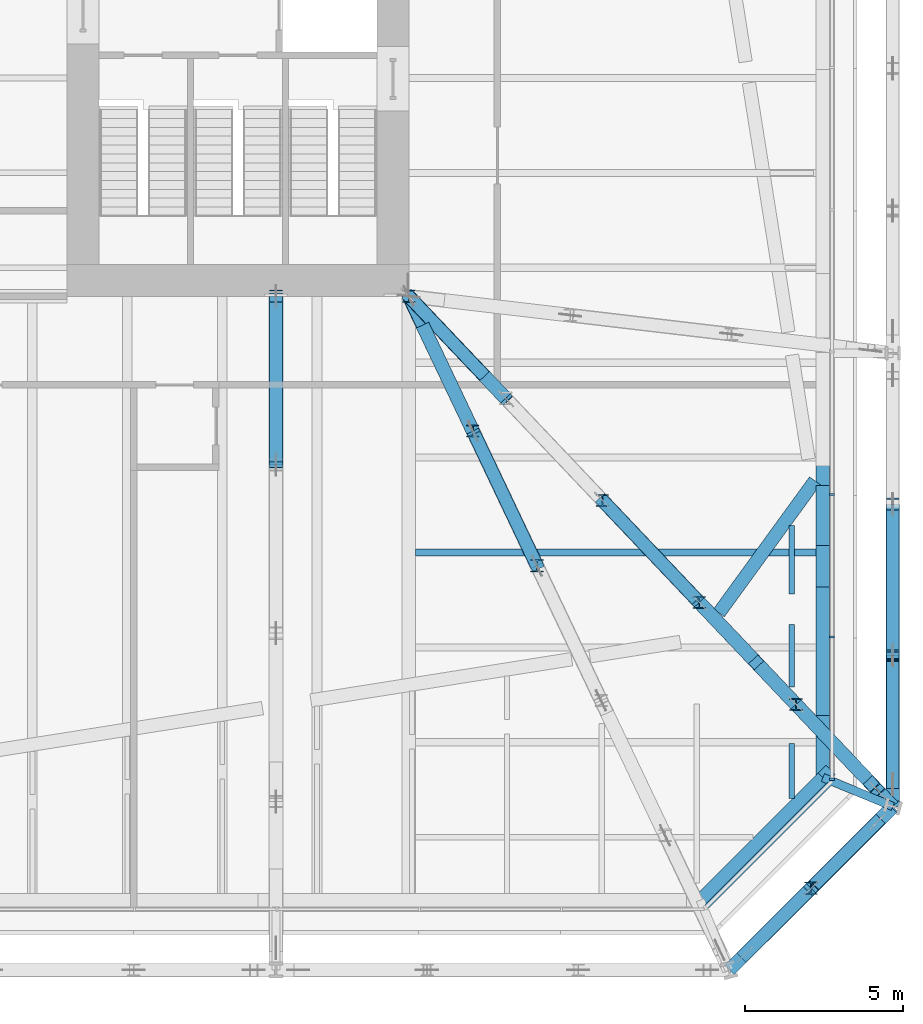
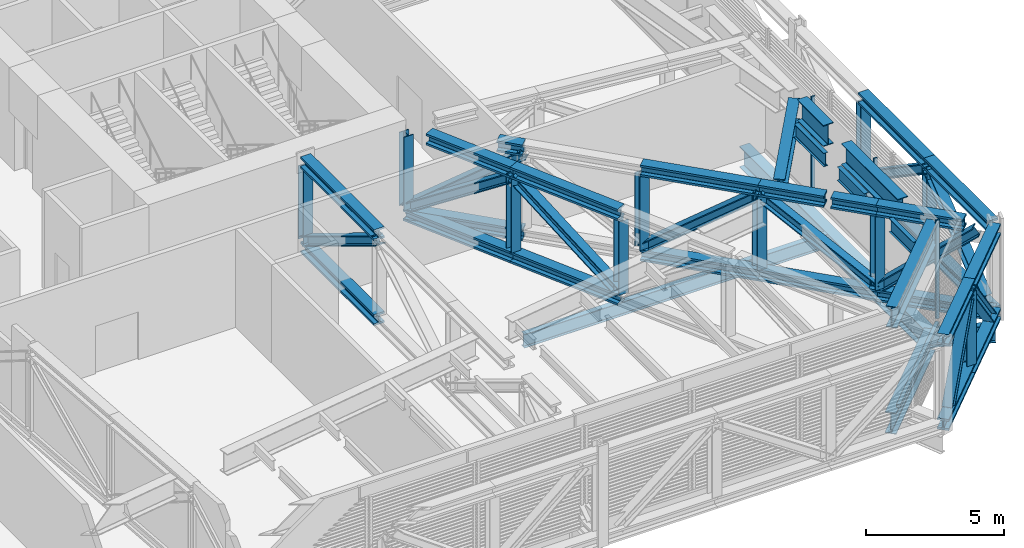
# One storey, part 10 of 31: 34 beams, 25 members, 2 elements without a shape of their own.
"""IFC4 building model written with IfcOpenShell, lengths in metres."""

from ifc_helpers import new_model, si_unit, direction, frame, origin, origin_2d, place, context, subcontext, project, spatial, rectangle, i_section, extrude, material, layer, layer_set, material_profile, profile_set, type_object, element, aggregate, save


model = new_model("IFC4")

# Units and contexts
model_context = context("Model", 3, precision=1e-05, world=origin(), true_north=direction((0.0, 1.0)))
body_context = subcontext(model_context, "Body", "Model", "MODEL_VIEW")
ifc_project = project(units=[si_unit("LENGTHUNIT", "METRE"), si_unit("AREAUNIT", "SQUARE_METRE"), si_unit("VOLUMEUNIT", "CUBIC_METRE"), si_unit("PLANEANGLEUNIT", "RADIAN"), si_unit("MASSUNIT", "GRAM", prefix="KILO")], contexts=[model_context])

# Site, building, storey
site_placement = place(None, origin())
site = spatial("IfcSite", under=ifc_project, at=site_placement, CompositionType="ELEMENT")
building_placement = place(site_placement, origin())
building = spatial("IfcBuilding", under=site, at=building_placement, Name="Millrace Tower", CompositionType="ELEMENT")
storey_placement = place(building_placement, frame((0.0, 0.0, 120.39990234375)))
storey = spatial("IfcBuildingStorey", under=building, at=storey_placement, Name="L26", CompositionType="ELEMENT", Elevation=120.39990234375)

# Beams
ifc_material_1 = material(Name="Steel ASTM A992 Grade 50", Category="steel")
ifc_material_profile_1 = material_profile(ifc_material_1, i_section(OverallWidth=0.431884765625, OverallDepth=0.497802734375, WebThickness=0.0556640625, FlangeThickness=0.0888671875, FilletRadius=0.01513671875, at=origin_2d()))
ifc_profile_set_1 = profile_set([ifc_material_profile_1], Name="Steel ASTM A992 Grade 50")
beam_type_1 = type_object("IfcBeamType", Name="Belt truss chord W14x500", PredefinedType="BEAM", material=ifc_profile_set_1)
for number, where, z_axis, x_axis, name in (
    (1, (25.0283203125, -31.199951171875, 0.2490234375), (0.70714016126, 0.707073399538, 0.0), (-0.707073399538, 0.70714016126, 0.0), "BLT-L26-R05-B01"),
    (2, (25.0283203125, -31.199951171875, 3.9912109375), (0.70714016126, 0.707073399538, 0.0), (-0.707073399538, 0.70714016126, 0.0), "BLT-L26-R05-T01"),
    (3, (27.6142578125, -28.6142578125, 0.2490234375), (0.707073399538, 0.70714016126, 0.0), (-0.70714016126, 0.707073399538, 0.0), "BLT-L26-R05-B02"),
):
    element("IfcBeam", number, at=place(storey_placement, frame(where, z_axis=z_axis, x_axis=x_axis)), inside=storey, type_object=beam_type_1, Name=name, PredefinedType="BEAM", context=body_context, shape_type="SweptSolid", body=[
        extrude(i_section(OverallWidth=0.431884765625, OverallDepth=0.497802734375, WebThickness=0.0556640625, FlangeThickness=0.0888671875, FilletRadius=0.01513671875, at=origin_2d()), origin(), (0.0, 0.0, 1.0), 3.656982421875),
    ])
for number, where, z_axis, x_axis, name in (
    (4, (30.199951171875, -26.0283203125, 0.2490234375), (0.0, 1.0, 0.0), (-1.0, 0.0, 0.0), "BLT-L26-R06-B01"),
    (5, (30.199951171875, -21.252197265625, 0.2490234375), (0.0, 1.0, 0.0), (-1.0, 0.0, 0.0), "BLT-L26-R06-B02"),
    (6, (30.199951171875, -21.252197265625, 3.9912109375), (0.0, 1.0, 0.0), (-1.0, 0.0, 0.0), "BLT-L26-R06-T02"),
):
    element("IfcBeam", number, at=place(storey_placement, frame(where, z_axis=z_axis, x_axis=x_axis)), inside=storey, type_object=beam_type_1, Name=name, PredefinedType="BEAM", context=body_context, shape_type="SweptSolid", body=[
        extrude(i_section(OverallWidth=0.431884765625, OverallDepth=0.497802734375, WebThickness=0.0556640625, FlangeThickness=0.0888671875, FilletRadius=0.01513671875, at=origin_2d()), origin(), (0.0, 0.0, 1.0), 4.776123046875),
    ])
beam_1_placement = place(storey_placement, frame((27.6142578125, -28.6142578125, 3.9912109375), z_axis=(0.707106781187, 0.707106781187, 0.0), x_axis=(-0.707106781187, 0.707106781187, 0.0)))
element("IfcBeam", 7, at=beam_1_placement, inside=storey, type_object=beam_type_1, Name="BLT-L26-R05-T02", PredefinedType="BEAM", context=body_context, shape_type="SweptSolid", body=[
    extrude(i_section(OverallWidth=0.431884765625, OverallDepth=0.497802734375, WebThickness=0.0556640625, FlangeThickness=0.0888671875, FilletRadius=0.01513671875, at=origin_2d()), origin(), (0.0, 0.0, 1.0), 3.611572265625),
])
beam_2_placement = place(storey_placement, frame((30.199951171875, -25.85986328125, 3.9912109375), z_axis=(0.0, 1.0, 0.0), x_axis=(-1.0, 0.0, 0.0)))
element("IfcBeam", 8, at=beam_2_placement, inside=storey, type_object=beam_type_1, Name="BLT-L26-R06-T01", PredefinedType="BEAM", context=body_context, shape_type="SweptSolid", body=[
    extrude(i_section(OverallWidth=0.431884765625, OverallDepth=0.497802734375, WebThickness=0.0556640625, FlangeThickness=0.0888671875, FilletRadius=0.01513671875, at=origin_2d()), origin(), (0.0, 0.0, 1.0), 4.607666015625),
])

# Members
ifc_material_2 = material(Name="Steel ASTM A992 Grade 50", Category="steel")
ifc_material_profile_2 = material_profile(ifc_material_2, i_section(OverallWidth=0.4013671875, OverallDepth=0.398681640625, WebThickness=0.02490234375, FlangeThickness=0.03955078125, FilletRadius=0.01513671875, at=origin_2d()))
ifc_profile_set_2 = profile_set([ifc_material_profile_2], Name="Steel ASTM A992 Grade 50")
member_type_1 = type_object("IfcMemberType", Name="Belt truss diagonal W14x211", PredefinedType="BRACE", material=ifc_profile_set_2)
for number, where, z_axis, x_axis, name in (
    (9, (25.5234375, -30.705078125, 0.498046875), (0.476325620306, 0.476325620306, 0.739072260933), (-0.707106781187, 0.707106781187, 0.0), "BLT-L26-R05-D01"),
    (10, (29.705078125, -26.5234375, 0.498046875), (-0.476325620306, -0.476325620306, 0.739072260933), (0.707106781187, -0.707106781187, 0.0), "BLT-L26-R05-D02"),
):
    element("IfcMember", number, at=place(storey_placement, frame(where, z_axis=z_axis, x_axis=x_axis)), inside=storey, type_object=member_type_1, Name=name, PredefinedType="BRACE", context=body_context, shape_type="SweptSolid", body=[
        extrude(i_section(OverallWidth=0.4013671875, OverallDepth=0.398681640625, WebThickness=0.02490234375, FlangeThickness=0.03955078125, FilletRadius=0.01513671875, at=origin_2d()), origin(), (0.0, 0.0, 1.0), 4.389404296875),
    ])
member_1_placement = place(storey_placement, frame((30.199951171875, -25.328369140625, 0.498046875), z_axis=(0.0, 0.782439131655, 0.62272707124), x_axis=(-1.0, 0.0, 0.0)))
element("IfcMember", 11, at=member_1_placement, inside=storey, type_object=member_type_1, Name="BLT-L26-R06-D01", PredefinedType="BRACE", context=body_context, shape_type="SweptSolid", body=[
    extrude(i_section(OverallWidth=0.4013671875, OverallDepth=0.398681640625, WebThickness=0.02490234375, FlangeThickness=0.03955078125, FilletRadius=0.01513671875, at=origin_2d()), origin(), (0.0, 0.0, 1.0), 5.20947265625),
])
member_2_placement = place(storey_placement, frame((30.199951171875, -16.47607421875, 0.498046875), z_axis=(0.0, -0.827218174589, 0.561880851809), x_axis=(1.0, 0.0, 0.0)))
element("IfcMember", 12, at=member_2_placement, inside=storey, type_object=member_type_1, Name="BLT-L26-R06-D02", PredefinedType="BRACE", context=body_context, shape_type="SweptSolid", body=[
    extrude(i_section(OverallWidth=0.4013671875, OverallDepth=0.398681640625, WebThickness=0.02490234375, FlangeThickness=0.03955078125, FilletRadius=0.01513671875, at=origin_2d()), origin(), (0.0, 0.0, 1.0), 5.773681640625),
])
ifc_material_3 = material(Name="Steel ASTM A992 Grade 50", Category="steel")
ifc_material_profile_3 = material_profile(ifc_material_3, i_section(OverallWidth=0.398681640625, OverallDepth=0.385986328125, WebThickness=0.02099609375, FlangeThickness=0.033203125, FilletRadius=0.01513671875, at=origin_2d()))
ifc_profile_set_3 = profile_set([ifc_material_profile_3], Name="Steel ASTM A992 Grade 50")
member_type_2 = type_object("IfcMemberType", Name="Belt truss post W14x176", PredefinedType="POST", material=ifc_profile_set_3)
for number, where, z_axis, x_axis, name in (
    (13, (27.6142578125, -28.6142578125, 0.498046875), (0.0, 0.0, 1.0), (1.0, 0.0, 0.0), "BLT-L26-R05-V01"),
    (14, (30.199951171875, -21.252197265625, 0.498046875), (0.0, 0.0, 1.0), (1.0, 0.0, 0.0), "BLT-L26-R06-V01"),
    (15, (30.199951171875, -16.47607421875, 0.498046875), (0.0, 0.0, 1.0), (1.0, 0.0, 0.0), "BLT-L26-R06-V02"),
):
    element("IfcMember", number, at=place(storey_placement, frame(where, z_axis=z_axis, x_axis=x_axis)), inside=storey, type_object=member_type_2, Name=name, PredefinedType="POST", context=body_context, shape_type="SweptSolid", body=[
        extrude(i_section(OverallWidth=0.398681640625, OverallDepth=0.385986328125, WebThickness=0.02099609375, FlangeThickness=0.033203125, FilletRadius=0.01513671875, at=origin_2d()), origin(), (0.0, 0.0, 1.0), 3.244140625),
    ])

# Curtain wall, members
ifc_material_4 = material(Name="Aluminium and glass", Category="aluminium")
ifc_layer = layer(ifc_material_4, 0.14990234375)
ifc_layer_set = layer_set([ifc_layer], Name="Aluminium and glass")
curtain_wall_type = type_object("IfcCurtainWallType", Name="CW-5 truss and plant storey louvred infill", PredefinedType="NOTDEFINED", material=ifc_layer_set)
placement = place(storey_placement, origin())
curtain_wall_1 = element("IfcCurtainWall", 16, at=placement, inside=storey, type_object=curtain_wall_type, Name="Curtain wall B-F04 L26", PredefinedType="NOTDEFINED")
ifc_material_5 = material(Name="Aluminium", Category="aluminium")
ifc_material_profile_4 = material_profile(ifc_material_5, rectangle(XDim=0.06494140625, YDim=0.14990234375, at=origin_2d()))
ifc_profile_set_4 = profile_set([ifc_material_profile_4], Name="Aluminium")
member_type_3 = type_object("IfcMemberType", Name="CW-5 truss and plant storey louvred infill mullion", PredefinedType="MULLION", material=ifc_profile_set_4)
member_3_placement = place(storey_placement, frame((28.27490234375, -25.16748046875, 0.14013671875), z_axis=(0.0, 0.0, 1.0), x_axis=(0.0, 1.0, 0.0)))
member_3 = element("IfcMember", 17, at=member_3_placement, type_object=member_type_3, Name="CW5 mullion B-F04.1", PredefinedType="MULLION", context=body_context, shape_type="SweptSolid", body=[
    extrude(rectangle(XDim=0.06494140625, YDim=0.14990234375, at=origin_2d()), origin(), (0.0, 0.0, 1.0), 4.35986328125),
])
member_4_placement = place(storey_placement, frame((28.27490234375, -20.66748046875, 0.14013671875), z_axis=(0.0, 0.0, 1.0), x_axis=(0.0, 1.0, 0.0)))
member_4 = element("IfcMember", 18, at=member_4_placement, type_object=member_type_3, Name="CW5 mullion B-F04.2", PredefinedType="MULLION", context=body_context, shape_type="SweptSolid", body=[
    extrude(rectangle(XDim=0.06494140625, YDim=0.14990234375, at=origin_2d()), origin(), (0.0, 0.0, 1.0), 4.35986328125),
])
member_5_placement = place(storey_placement, frame((28.27490234375, -16.16748046875, 0.14013671875), z_axis=(0.0, 0.0, 1.0), x_axis=(0.0, 1.0, 0.0)))
member_5 = element("IfcMember", 19, at=member_5_placement, type_object=member_type_3, Name="CW5 mullion B-F04.3", PredefinedType="MULLION", context=body_context, shape_type="SweptSolid", body=[
    extrude(rectangle(XDim=0.06494140625, YDim=0.14990234375, at=origin_2d()), origin(), (0.0, 0.0, 1.0), 4.35986328125),
])
aggregate(curtain_wall_1, [member_3, member_4, member_5])

# Curtain wall, member
curtain_wall_2 = element("IfcCurtainWall", 20, at=placement, inside=storey, type_object=curtain_wall_type, Name="Curtain wall B-F03 L26", PredefinedType="NOTDEFINED")
ifc_material_6 = material(Name="Aluminium", Category="aluminium")
ifc_material_profile_5 = material_profile(ifc_material_6, rectangle(XDim=0.14990234375, YDim=0.139892578125, at=origin_2d()))
ifc_profile_set_5 = profile_set([ifc_material_profile_5], Name="Aluminium")
member_type_4 = type_object("IfcMemberType", Name="CW-5 truss and plant storey louvred infill transom", PredefinedType="USERDEFINED", material=ifc_profile_set_5)
member_6_placement = place(storey_placement, frame((24.32373046875, -29.182373046875, 0.070068359375), z_axis=(0.707106781187, 0.707106781187, 0.0), x_axis=(-0.707106781187, 0.707106781187, 0.0)))
member_6 = element("IfcMember", 21, at=member_6_placement, type_object=member_type_4, Name="CW5 transom B-F03.1", ObjectType="TRANSOM", PredefinedType="USERDEFINED", context=body_context, shape_type="SweptSolid", body=[
    extrude(rectangle(XDim=0.14990234375, YDim=0.139892578125, at=origin_2d()), origin(), (0.0, 0.0, 1.0), 5.45703125),
])
aggregate(curtain_wall_2, [member_6])

# Beams
ifc_material_7 = material(Name="Steel ASTM A992 Grade 50", Category="steel")
ifc_material_profile_6 = material_profile(ifc_material_7, i_section(OverallWidth=0.177978515625, OverallDepth=0.599365234375, WebThickness=0.010009765625, FlangeThickness=0.012939453125, FilletRadius=0.012939453125, at=origin_2d()))
ifc_profile_set_6 = profile_set([ifc_material_profile_6], Name="Steel ASTM A992 Grade 50")
beam_type_2 = type_object("IfcBeamType", Name="Floor beam W24x55", PredefinedType="JOIST", material=ifc_profile_set_6)
beam_3_placement = place(storey_placement, frame((27.0, -25.77978515625, 4.040283203125), z_axis=(0.0, 1.0, 0.0), x_axis=(-1.0, 0.0, 0.0)))
element("IfcBeam", 22, at=beam_3_placement, inside=storey, type_object=beam_type_2, Name="BM-B-L26-R1-S016-a", PredefinedType="JOIST", context=body_context, shape_type="SweptSolid", body=[
    extrude(i_section(OverallWidth=0.177978515625, OverallDepth=0.599365234375, WebThickness=0.010009765625, FlangeThickness=0.012939453125, FilletRadius=0.012939453125, at=origin_2d()), origin(), (0.0, 0.0, 1.0), 1.749755859375),
])
beam_4_placement = place(storey_placement, frame((27.0, -22.244140625, 4.040283203125), z_axis=(0.0, 1.0, 0.0), x_axis=(-1.0, 0.0, 0.0)))
element("IfcBeam", 23, at=beam_4_placement, inside=storey, type_object=beam_type_2, Name="BM-B-L26-R1-S016-b-a", PredefinedType="JOIST", context=body_context, shape_type="SweptSolid", body=[
    extrude(i_section(OverallWidth=0.177978515625, OverallDepth=0.599365234375, WebThickness=0.010009765625, FlangeThickness=0.012939453125, FilletRadius=0.012939453125, at=origin_2d()), origin(), (0.0, 0.0, 1.0), 1.967529296875),
])
beam_5_placement = place(storey_placement, frame((27.0, -19.304443359375, 4.040283203125), z_axis=(0.0, 1.0, 0.0), x_axis=(-1.0, 0.0, 0.0)))
element("IfcBeam", 24, at=beam_5_placement, inside=storey, type_object=beam_type_2, Name="BM-B-L26-R1-S016-b-b", PredefinedType="JOIST", context=body_context, shape_type="SweptSolid", body=[
    extrude(i_section(OverallWidth=0.177978515625, OverallDepth=0.599365234375, WebThickness=0.010009765625, FlangeThickness=0.012939453125, FilletRadius=0.012939453125, at=origin_2d()), origin(), (0.0, 0.0, 1.0), 2.151123046875),
])
ifc_material_8 = material(Name="Steel ASTM A992 Grade 50", Category="steel")
ifc_material_profile_7 = material_profile(ifc_material_8, i_section(OverallWidth=0.228271484375, OverallDepth=0.607177734375, WebThickness=0.01123046875, FlangeThickness=0.017333984375, FilletRadius=0.0126953125, at=origin_2d()))
ifc_profile_set_7 = profile_set([ifc_material_profile_7], Name="Steel ASTM A992 Grade 50")
beam_type_3 = type_object("IfcBeamType", Name="Floor beam W24x76", PredefinedType="JOIST", material=ifc_profile_set_7)
beam_6_placement = place(storey_placement, frame((15.112060546875, -18.0, -0.553466796875), z_axis=(1.0, 0.0, 0.0), x_axis=(0.0, 1.0, 0.0)))
element("IfcBeam", 25, at=beam_6_placement, inside=storey, type_object=beam_type_3, Name="BM-B-L26-S1-S008", PredefinedType="JOIST", context=body_context, shape_type="SweptSolid", body=[
    extrude(i_section(OverallWidth=0.228271484375, OverallDepth=0.607177734375, WebThickness=0.01123046875, FlangeThickness=0.017333984375, FilletRadius=0.0126953125, at=origin_2d()), origin(), (0.0, 0.0, 1.0), 12.666259765625),
])
ifc_material_9 = material(Name="Steel ASTM A992 Grade 50", Category="steel")
ifc_material_profile_8 = material_profile(ifc_material_9, i_section(OverallWidth=0.2666015625, OverallDepth=0.7568359375, WebThickness=0.013916015625, FlangeThickness=0.019287109375, FilletRadius=0.0166015625, at=origin_2d()))
ifc_profile_set_8 = profile_set([ifc_material_profile_8], Name="Steel ASTM A992 Grade 50")
beam_type_4 = type_object("IfcBeamType", Name="Link beam W30x108", PredefinedType="BEAM", material=ifc_profile_set_8)
beam_7_placement = place(storey_placement, frame((27.9892578125, -25.11279296875, -0.62841796875), z_axis=(0.923904919595, -0.382622136773, 0.0), x_axis=(0.382622136773, 0.923904919595, 0.0)))
element("IfcBeam", 26, at=beam_7_placement, inside=storey, type_object=beam_type_4, Name="LNK-B-L26-S1-12", PredefinedType="BEAM", context=body_context, shape_type="SweptSolid", body=[
    extrude(i_section(OverallWidth=0.2666015625, OverallDepth=0.7568359375, WebThickness=0.013916015625, FlangeThickness=0.019287109375, FilletRadius=0.0166015625, at=origin_2d()), origin(), (0.0, 0.0, 1.0), 2.392822265625),
])
ifc_material_10 = material(Name="Steel ASTM A992 Grade 50", Category="steel")
ifc_material_profile_9 = material_profile(ifc_material_10, i_section(OverallWidth=0.431884765625, OverallDepth=0.497802734375, WebThickness=0.0556640625, FlangeThickness=0.0888671875, FilletRadius=0.01513671875, at=origin_2d()))
ifc_profile_set_9 = profile_set([ifc_material_profile_9], Name="Steel ASTM A992 Grade 50")
beam_type_5 = type_object("IfcBeamType", Name="Outrigger truss chord W14x500", PredefinedType="BEAM", material=ifc_profile_set_9)
for number, where, z_axis, x_axis, name in (
    (27, (10.699951171875, -9.89990234375, 0.2490234375), (0.0, -1.0, 0.0), (1.0, 0.0, 0.0), "BLT-L26-O04-B01"),
    (28, (10.699951171875, -9.89990234375, 3.9912109375), (0.0, -1.0, 0.0), (1.0, 0.0, 0.0), "BLT-L26-O04-T01"),
):
    element("IfcBeam", number, at=place(storey_placement, frame(where, z_axis=z_axis, x_axis=x_axis)), inside=storey, type_object=beam_type_5, Name=name, PredefinedType="BEAM", context=body_context, shape_type="SweptSolid", body=[
        extrude(i_section(OverallWidth=0.431884765625, OverallDepth=0.497802734375, WebThickness=0.0556640625, FlangeThickness=0.0888671875, FilletRadius=0.01513671875, at=origin_2d()), origin(), (0.0, 0.0, 1.0), 5.3251953125),
    ])
beam_8_placement = place(storey_placement, frame((14.89990234375, -9.89990234375, 0.2490234375), z_axis=(0.429467436283, -0.903082344625, 0.0), x_axis=(0.903082344625, 0.429467436283, 0.0)))
element("IfcBeam", 29, at=beam_8_placement, inside=storey, type_object=beam_type_5, Name="BLT-L26-O05-B01", PredefinedType="BEAM", context=body_context, shape_type="SweptSolid", body=[
    extrude(i_section(OverallWidth=0.431884765625, OverallDepth=0.497802734375, WebThickness=0.0556640625, FlangeThickness=0.0888671875, FilletRadius=0.01513671875, at=origin_2d()), origin(), (0.0, 0.0, 1.0), 4.71728515625),
])
for number, where, z_axis, x_axis, name in (
    (30, (16.92578125, -14.159912109375, 0.2490234375), (0.429425225248, -0.903102417182, 0.0), (0.903102417182, 0.429425225248, 0.0), "BLT-L26-O05-B02"),
    (31, (16.92578125, -14.159912109375, 3.9912109375), (0.429425225248, -0.903102417182, 0.0), (0.903102417182, 0.429425225248, 0.0), "BLT-L26-O05-T02"),
):
    element("IfcBeam", number, at=place(storey_placement, frame(where, z_axis=z_axis, x_axis=x_axis)), inside=storey, type_object=beam_type_5, Name=name, PredefinedType="BEAM", context=body_context, shape_type="SweptSolid", body=[
        extrude(i_section(OverallWidth=0.431884765625, OverallDepth=0.497802734375, WebThickness=0.0556640625, FlangeThickness=0.0888671875, FilletRadius=0.01513671875, at=origin_2d()), origin(), (0.0, 0.0, 1.0), 4.717041015625),
    ])
for number, where, z_axis, x_axis, name in (
    (32, (14.89990234375, -9.89990234375, 0.2490234375), (0.688219677151, -0.725502361114, 0.0), (0.725502361114, 0.688219677151, 0.0), "BLT-L26-O06-B01"),
    (33, (21.02001953125, -16.351318359375, 0.2490234375), (0.688219677151, -0.725502361114, 0.0), (0.725502361114, 0.688219677151, 0.0), "BLT-L26-O06-B03"),
    (34, (21.02001953125, -16.351318359375, 3.9912109375), (0.688219677151, -0.725502361114, 0.0), (0.725502361114, 0.688219677151, 0.0), "BLT-L26-O06-T03"),
):
    element("IfcBeam", number, at=place(storey_placement, frame(where, z_axis=z_axis, x_axis=x_axis)), inside=storey, type_object=beam_type_5, Name=name, PredefinedType="BEAM", context=body_context, shape_type="SweptSolid", body=[
        extrude(i_section(OverallWidth=0.431884765625, OverallDepth=0.497802734375, WebThickness=0.0556640625, FlangeThickness=0.0888671875, FilletRadius=0.01513671875, at=origin_2d()), origin(), (0.0, 0.0, 1.0), 4.4462890625),
    ])
for number, where, z_axis, x_axis, name in (
    (35, (24.080078125, -19.5771484375, 0.2490234375), (0.68821819184, -0.725503770094, 0.0), (0.725503770094, 0.68821819184, 0.0), "BLT-L26-O06-B04"),
    (36, (27.139892578125, -22.802734375, 0.2490234375), (0.688247093703, -0.725476352481, 0.0), (0.725476352481, 0.688247093703, 0.0), "BLT-L26-O06-B05"),
):
    element("IfcBeam", number, at=place(storey_placement, frame(where, z_axis=z_axis, x_axis=x_axis)), inside=storey, type_object=beam_type_5, Name=name, PredefinedType="BEAM", context=body_context, shape_type="SweptSolid", body=[
        extrude(i_section(OverallWidth=0.431884765625, OverallDepth=0.497802734375, WebThickness=0.0556640625, FlangeThickness=0.0888671875, FilletRadius=0.01513671875, at=origin_2d()), origin(), (0.0, 0.0, 1.0), 4.446044921875),
    ])
beam_9_placement = place(storey_placement, frame((15.334228515625, -10.81298828125, 3.9912109375), z_axis=(0.429445110263, -0.903092961589, 0.0), x_axis=(0.903092961589, 0.429445110263, 0.0)))
element("IfcBeam", 37, at=beam_9_placement, inside=storey, type_object=beam_type_5, Name="BLT-L26-O05-T01", PredefinedType="BEAM", context=body_context, shape_type="SweptSolid", body=[
    extrude(i_section(OverallWidth=0.431884765625, OverallDepth=0.497802734375, WebThickness=0.0556640625, FlangeThickness=0.0888671875, FilletRadius=0.01513671875, at=origin_2d()), origin(), (0.0, 0.0, 1.0), 3.7060546875),
])
beam_10_placement = place(storey_placement, frame((24.080078125, -19.5771484375, 3.9912109375), z_axis=(0.68825777519, -0.725466218986, 0.0), x_axis=(0.725466218986, 0.68825777519, 0.0)))
element("IfcBeam", 38, at=beam_10_placement, inside=storey, type_object=beam_type_5, Name="BLT-L26-O06-T04-a", PredefinedType="BEAM", context=body_context, shape_type="SweptSolid", body=[
    extrude(i_section(OverallWidth=0.431884765625, OverallDepth=0.497802734375, WebThickness=0.0556640625, FlangeThickness=0.0888671875, FilletRadius=0.01513671875, at=origin_2d()), origin(), (0.0, 0.0, 1.0), 2.480224609375),
])
beam_11_placement = place(storey_placement, frame((25.96875, -21.568115234375, 3.9912109375), z_axis=(0.688210092787, -0.725511452829, 0.0), x_axis=(0.725511452829, 0.688210092787, 0.0)))
element("IfcBeam", 39, at=beam_11_placement, inside=storey, type_object=beam_type_5, Name="BLT-L26-O06-T04-b", PredefinedType="BEAM", context=body_context, shape_type="SweptSolid", body=[
    extrude(i_section(OverallWidth=0.431884765625, OverallDepth=0.497802734375, WebThickness=0.0556640625, FlangeThickness=0.0888671875, FilletRadius=0.01513671875, at=origin_2d()), origin(), (0.0, 0.0, 1.0), 1.70166015625),
])
beam_12_placement = place(storey_placement, frame((27.139892578125, -22.802734375, 3.9912109375), z_axis=(0.68823840398, -0.725484596175, 0.0), x_axis=(0.725484596175, 0.68823840398, 0.0)))
element("IfcBeam", 40, at=beam_12_placement, inside=storey, type_object=beam_type_5, Name="BLT-L26-O06-T05", PredefinedType="BEAM", context=body_context, shape_type="SweptSolid", body=[
    extrude(i_section(OverallWidth=0.431884765625, OverallDepth=0.497802734375, WebThickness=0.0556640625, FlangeThickness=0.0888671875, FilletRadius=0.01513671875, at=origin_2d()), origin(), (0.0, 0.0, 1.0), 3.29052734375),
])
beam_13_placement = place(storey_placement, frame((17.29296875, -12.422607421875, 3.9912109375), z_axis=(0.688219637011, -0.725502399192, 0.0), x_axis=(0.725502399192, 0.688219637011, 0.0)))
element("IfcBeam", 41, at=beam_13_placement, inside=storey, type_object=beam_type_5, Name="BLT-L26-O06-T01", PredefinedType="BEAM", context=body_context, shape_type="SweptSolid", body=[
    extrude(i_section(OverallWidth=0.431884765625, OverallDepth=0.497802734375, WebThickness=0.0556640625, FlangeThickness=0.0888671875, FilletRadius=0.01513671875, at=origin_2d()), origin(), (0.0, 0.0, 1.0), 0.96923828125),
])

# Members
ifc_material_11 = material(Name="Steel ASTM A992 Grade 50", Category="steel")
ifc_material_profile_10 = material_profile(ifc_material_11, i_section(OverallWidth=0.4013671875, OverallDepth=0.398681640625, WebThickness=0.02490234375, FlangeThickness=0.03955078125, FilletRadius=0.01513671875, at=origin_2d()))
ifc_profile_set_10 = profile_set([ifc_material_profile_10], Name="Steel ASTM A992 Grade 50")
member_type_5 = type_object("IfcMemberType", Name="Outrigger truss diagonal W14x211", PredefinedType="BRACE", material=ifc_profile_set_10)
member_7_placement = place(storey_placement, frame((10.699951171875, -9.89990234375, 0.498046875), z_axis=(0.0, -0.854004945666, 0.520264887127), x_axis=(1.0, 0.0, 0.0)))
element("IfcMember", 42, at=member_7_placement, inside=storey, type_object=member_type_5, Name="BLT-L26-O04-D01", PredefinedType="BRACE", context=body_context, shape_type="SweptSolid", body=[
    extrude(i_section(OverallWidth=0.4013671875, OverallDepth=0.398681640625, WebThickness=0.02490234375, FlangeThickness=0.03955078125, FilletRadius=0.01513671875, at=origin_2d()), origin(), (0.0, 0.0, 1.0), 6.235595703125),
])
member_8_placement = place(storey_placement, frame((14.89990234375, -9.89990234375, 0.498046875), z_axis=(0.353861575891, -0.744098654822, 0.566656136471), x_axis=(0.903082344625, 0.429467436283, 0.0)))
element("IfcMember", 43, at=member_8_placement, inside=storey, type_object=member_type_5, Name="BLT-L26-O05-D01", PredefinedType="BRACE", context=body_context, shape_type="SweptSolid", body=[
    extrude(i_section(OverallWidth=0.4013671875, OverallDepth=0.398681640625, WebThickness=0.02490234375, FlangeThickness=0.03955078125, FilletRadius=0.01513671875, at=origin_2d()), origin(), (0.0, 0.0, 1.0), 5.72509765625),
])
member_9_placement = place(storey_placement, frame((18.951416015625, -18.419921875, 0.498046875), z_axis=(-0.353824270668, 0.744109882956, 0.566664687072), x_axis=(-0.903102417182, -0.429425225248, 0.0)))
element("IfcMember", 44, at=member_9_placement, inside=storey, type_object=member_type_5, Name="BLT-L26-O05-D02", PredefinedType="BRACE", context=body_context, shape_type="SweptSolid", body=[
    extrude(i_section(OverallWidth=0.4013671875, OverallDepth=0.398681640625, WebThickness=0.02490234375, FlangeThickness=0.03955078125, FilletRadius=0.01513671875, at=origin_2d()), origin(), (0.0, 0.0, 1.0), 5.724853515625),
])
for number, where, z_axis, x_axis, name in (
    (45, (14.89990234375, -9.89990234375, 0.498046875), (0.555966546532, -0.586084727887, 0.589411478404), (0.725502361114, 0.688219677151, 0.0), "BLT-L26-O06-D01"),
    (46, (21.02001953125, -16.351318359375, 0.498046875), (0.555966546532, -0.586084727887, 0.589411478404), (0.725502361114, 0.688219677151, 0.0), "BLT-L26-O06-D03"),
):
    element("IfcMember", number, at=place(storey_placement, frame(where, z_axis=z_axis, x_axis=x_axis)), inside=storey, type_object=member_type_5, Name=name, PredefinedType="BRACE", context=body_context, shape_type="SweptSolid", body=[
        extrude(i_section(OverallWidth=0.4013671875, OverallDepth=0.398681640625, WebThickness=0.02490234375, FlangeThickness=0.03955078125, FilletRadius=0.01513671875, at=origin_2d()), origin(), (0.0, 0.0, 1.0), 5.504150390625),
    ])
member_10_placement = place(storey_placement, frame((27.139892578125, -22.802734375, 0.498046875), z_axis=(-0.555950352586, 0.586070059712, 0.589441337682), x_axis=(-0.725503770094, -0.68821819184, 0.0)))
element("IfcMember", 47, at=member_10_placement, inside=storey, type_object=member_type_5, Name="BLT-L26-O06-D04", PredefinedType="BRACE", context=body_context, shape_type="SweptSolid", body=[
    extrude(i_section(OverallWidth=0.4013671875, OverallDepth=0.398681640625, WebThickness=0.02490234375, FlangeThickness=0.03955078125, FilletRadius=0.01513671875, at=origin_2d()), origin(), (0.0, 0.0, 1.0), 5.503662109375),
])
member_11_placement = place(storey_placement, frame((27.139892578125, -22.802734375, 0.498046875), z_axis=(0.520286021213, -0.548416247338, 0.654631251764), x_axis=(0.725467870252, 0.68825603465, 0.0)))
element("IfcMember", 48, at=member_11_placement, inside=storey, type_object=member_type_5, Name="BLT-L26-O06-D05", PredefinedType="BRACE", context=body_context, shape_type="SweptSolid", body=[
    extrude(i_section(OverallWidth=0.4013671875, OverallDepth=0.398681640625, WebThickness=0.02490234375, FlangeThickness=0.03955078125, FilletRadius=0.01513671875, at=origin_2d()), origin(), (0.0, 0.0, 1.0), 4.95556640625),
])
ifc_material_12 = material(Name="Steel ASTM A992 Grade 50", Category="steel")
ifc_material_profile_11 = material_profile(ifc_material_12, i_section(OverallWidth=0.398681640625, OverallDepth=0.385986328125, WebThickness=0.02099609375, FlangeThickness=0.033203125, FilletRadius=0.01513671875, at=origin_2d()))
ifc_profile_set_11 = profile_set([ifc_material_profile_11], Name="Steel ASTM A992 Grade 50")
member_type_6 = type_object("IfcMemberType", Name="Outrigger truss post W14x176", PredefinedType="POST", material=ifc_profile_set_11)
for number, where, z_axis, x_axis, name in (
    (49, (10.699951171875, -9.89990234375, 0.498046875), (0.0, 0.0, 1.0), (1.0, 0.0, 0.0), "BLT-L26-O04-V00"),
    (50, (14.89990234375, -9.89990234375, 0.498046875), (0.0, 0.0, 1.0), (1.0, 0.0, 0.0), "BLT-L26-O05-V00"),
    (51, (16.92578125, -14.159912109375, 0.498046875), (0.0, 0.0, 1.0), (1.0, 0.0, 0.0), "BLT-L26-O05-V01"),
    (52, (18.951416015625, -18.419921875, 0.498046875), (0.0, 0.0, 1.0), (1.0, 0.0, 0.0), "BLT-L26-O05-V02"),
    (53, (21.02001953125, -16.351318359375, 0.498046875), (0.0, 0.0, 1.0), (1.0, 0.0, 0.0), "BLT-L26-O06-V02"),
    (54, (24.080078125, -19.5771484375, 0.498046875), (0.0, 0.0, 1.0), (1.0, 0.0, 0.0), "BLT-L26-O06-V03"),
    (55, (27.139892578125, -22.802734375, 0.498046875), (0.0, 0.0, 1.0), (1.0, 0.0, 0.0), "BLT-L26-O06-V04"),
):
    element("IfcMember", number, at=place(storey_placement, frame(where, z_axis=z_axis, x_axis=x_axis)), inside=storey, type_object=member_type_6, Name=name, PredefinedType="POST", context=body_context, shape_type="SweptSolid", body=[
        extrude(i_section(OverallWidth=0.398681640625, OverallDepth=0.385986328125, WebThickness=0.02099609375, FlangeThickness=0.033203125, FilletRadius=0.01513671875, at=origin_2d()), origin(), (0.0, 0.0, 1.0), 3.244140625),
    ])

# Beams
ifc_material_13 = material(Name="Steel ASTM A992 Grade 50", Category="steel")
ifc_material_profile_12 = material_profile(ifc_material_13, i_section(OverallWidth=0.421630859375, OverallDepth=0.937255859375, WebThickness=0.021240234375, FlangeThickness=0.03662109375, FilletRadius=0.024169921875, at=origin_2d()))
ifc_profile_set_12 = profile_set([ifc_material_profile_12], Name="Steel ASTM A992 Grade 50")
beam_type_6 = type_object("IfcBeamType", Name="Ring beam medium span W36x262", PredefinedType="SPANDREL", material=ifc_profile_set_12)
beam_14_placement = place(storey_placement, frame((27.9892578125, -11.699951171875, -0.718505859375), z_axis=(0.0, -1.0, 0.0), x_axis=(1.0, 0.0, 0.0)))
element("IfcBeam", 56, at=beam_14_placement, inside=storey, type_object=beam_type_6, Name="RNG-B-L26-S1-11", PredefinedType="SPANDREL", context=body_context, shape_type="SweptSolid", body=[
    extrude(i_section(OverallWidth=0.421630859375, OverallDepth=0.937255859375, WebThickness=0.021240234375, FlangeThickness=0.03662109375, FilletRadius=0.024169921875, at=origin_2d()), origin(), (0.0, 0.0, 1.0), 13.412841796875),
])
ifc_material_14 = material(Name="Steel ASTM A992 Grade 50", Category="steel")
ifc_material_profile_13 = material_profile(ifc_material_14, i_section(OverallWidth=0.421630859375, OverallDepth=0.937255859375, WebThickness=0.021240234375, FlangeThickness=0.03662109375, FilletRadius=0.024169921875, at=origin_2d()))
ifc_profile_set_13 = profile_set([ifc_material_profile_13], Name="Steel ASTM A992 Grade 50")
beam_type_7 = type_object("IfcBeamType", Name="Ring beam short span W36x262", PredefinedType="SPANDREL", material=ifc_profile_set_13)
beam_15_placement = place(storey_placement, frame((27.9892578125, -25.11279296875, -0.718505859375), z_axis=(-0.707106781187, -0.707106781187, 0.0), x_axis=(0.707106781187, -0.707106781187, 0.0)))
element("IfcBeam", 57, at=beam_15_placement, inside=storey, type_object=beam_type_7, Name="RNG-B-L26-S1-12", PredefinedType="SPANDREL", context=body_context, shape_type="SweptSolid", body=[
    extrude(i_section(OverallWidth=0.421630859375, OverallDepth=0.937255859375, WebThickness=0.021240234375, FlangeThickness=0.03662109375, FilletRadius=0.024169921875, at=origin_2d()), origin(), (0.0, 0.0, 1.0), 5.482177734375),
])
beam_16_placement = place(storey_placement, frame((28.2294921875, -24.872314453125, 3.87158203125), z_axis=(-0.707106781187, -0.707106781187, 0.0), x_axis=(0.707106781187, -0.707106781187, 0.0)))
element("IfcBeam", 58, at=beam_16_placement, inside=storey, type_object=beam_type_7, Name="RNG-B-L26-R1-01", PredefinedType="SPANDREL", context=body_context, shape_type="SweptSolid", body=[
    extrude(i_section(OverallWidth=0.421630859375, OverallDepth=0.937255859375, WebThickness=0.021240234375, FlangeThickness=0.03662109375, FilletRadius=0.024169921875, at=origin_2d()), origin(), (0.0, 0.0, 1.0), 5.68701171875),
])
beam_17_placement = place(storey_placement, frame((24.704345703125, -19.906494140625, 3.87158203125), z_axis=(0.587760734456, 0.809034807058, 0.0), x_axis=(-0.809034807058, 0.587760734456, 0.0)))
element("IfcBeam", 59, at=beam_17_placement, inside=storey, type_object=beam_type_7, Name="RNG-B-L26-R1-10", PredefinedType="SPANDREL", context=body_context, shape_type="SweptSolid", body=[
    extrude(i_section(OverallWidth=0.421630859375, OverallDepth=0.937255859375, WebThickness=0.021240234375, FlangeThickness=0.03662109375, FilletRadius=0.024169921875, at=origin_2d()), origin(), (0.0, 0.0, 1.0), 5.158203125),
])
beam_18_placement = place(storey_placement, frame((27.9892578125, -15.881103515625, 3.87158203125), z_axis=(0.0, -1.0, 0.0), x_axis=(1.0, 0.0, 0.0)))
element("IfcBeam", 60, at=beam_18_placement, inside=storey, type_object=beam_type_7, Name="RNG-B-L26-R1-11-a", PredefinedType="SPANDREL", context=body_context, shape_type="SweptSolid", body=[
    extrude(i_section(OverallWidth=0.421630859375, OverallDepth=0.937255859375, WebThickness=0.021240234375, FlangeThickness=0.03662109375, FilletRadius=0.024169921875, at=origin_2d()), origin(), (0.0, 0.0, 1.0), 1.89453125),
])
beam_19_placement = place(storey_placement, frame((27.9892578125, -19.08251953125, 3.87158203125), z_axis=(0.0, -1.0, 0.0), x_axis=(1.0, 0.0, 0.0)))
element("IfcBeam", 61, at=beam_19_placement, inside=storey, type_object=beam_type_7, Name="RNG-B-L26-R1-11-b", PredefinedType="SPANDREL", context=body_context, shape_type="SweptSolid", body=[
    extrude(i_section(OverallWidth=0.421630859375, OverallDepth=0.937255859375, WebThickness=0.021240234375, FlangeThickness=0.03662109375, FilletRadius=0.024169921875, at=origin_2d()), origin(), (0.0, 0.0, 1.0), 4.075439453125),
])

save(model, "model.ifc")
